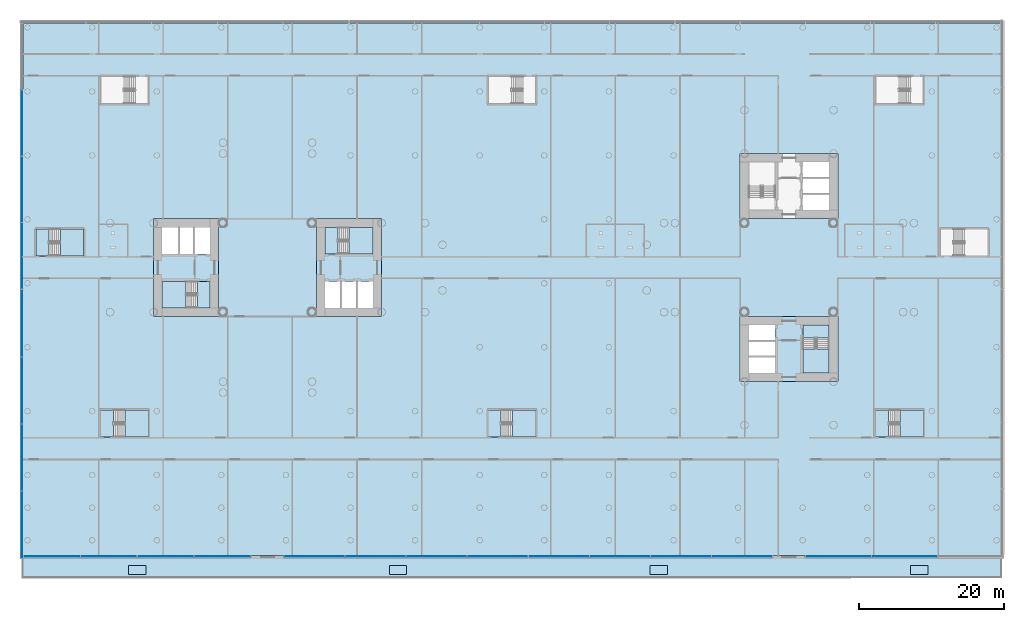
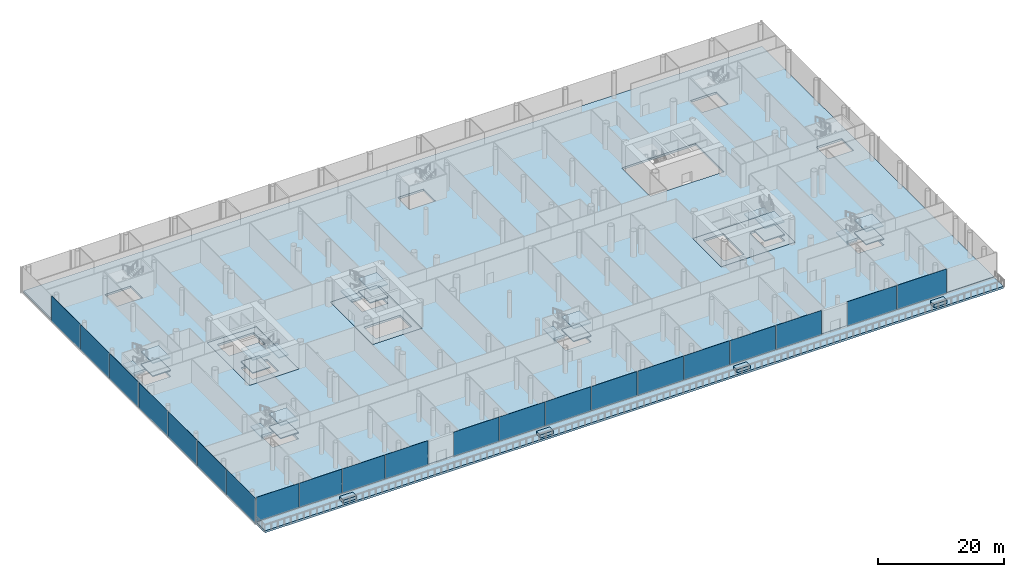
# One storey, part 15 of 59: 30 slabs, 21 plates, 13 elements without a shape of their own.
"""IFC4 building model written with IfcOpenShell, lengths in metres."""

from ifc_helpers import new_model, si_unit, direction, frame, origin, origin_2d, place, context, subcontext, project, spatial, polyline, rectangle, outline, extrude, material, layer, layer_set, type_object, element, aggregate, save


model = new_model("IFC4")

# Units and contexts
model_context = context("Model", 3, precision=1e-05, world=origin(), true_north=direction((0.0, 1.0)))
body_context = subcontext(model_context, "Body", "Model", "MODEL_VIEW")
ifc_project = project(units=[si_unit("LENGTHUNIT", "METRE"), si_unit("AREAUNIT", "SQUARE_METRE"), si_unit("VOLUMEUNIT", "CUBIC_METRE"), si_unit("PLANEANGLEUNIT", "RADIAN"), si_unit("MASSUNIT", "GRAM", prefix="KILO")], contexts=[model_context])

# Site, building, storey
site_placement = place(None, origin())
site = spatial("IfcSite", under=ifc_project, at=site_placement, CompositionType="ELEMENT")
building_placement = place(site_placement, origin())
building = spatial("IfcBuilding", under=site, at=building_placement, Name="Ipe Terrace Towers", CompositionType="ELEMENT")
storey_placement = place(building_placement, frame((0.0, 0.0, 6.0)))
storey = spatial("IfcBuildingStorey", under=building, at=storey_placement, Name="L01", CompositionType="ELEMENT", Elevation=6.0)

# Slabs
ifc_material_1 = material(Name="Concrete C30/37", Category="concrete")
ifc_layer_1 = layer(ifc_material_1, 0.39990234375)
ifc_layer_set_1 = layer_set([ifc_layer_1], Name="CORE FLOOR SLAB 400 C30-37")
slab_type_1 = type_object("IfcSlabType", Name="CORE FLOOR SLAB 400 C30-37", PredefinedType="FLOOR", material=ifc_layer_set_1)
slab_1_placement = place(storey_placement, frame((0.0, 0.0, -0.39990234375)))
element("IfcSlab", 1, at=slab_1_placement, inside=storey, type_object=slab_type_1, Name="Core floor T1-C1", PredefinedType="FLOOR", context=body_context, shape_type="SweptSolid", body=[
    extrude(outline(polyline([(-29.25, -6.75), (-29.25, 6.75), (-20.25, 6.75), (-20.25, -6.75), (-29.25, -6.75)]), holes=[polyline([(-28.050048828125, -5.550048828125), (-21.449951171875, -5.550048828125), (-21.449951171875, -1.89990234375), (-28.050048828125, -1.89990234375), (-28.050048828125, -5.550048828125)]), polyline([(-26.199951171875, 5.550048828125), (-26.199951171875, 1.89990234375), (-21.449951171875, 1.89990234375), (-21.449951171875, 5.550048828125), (-26.199951171875, 5.550048828125)])]), origin(), (0.0, 0.0, 1.0), 0.39990234375),
])
slab_2_placement = place(storey_placement, frame((0.0, 0.0, -0.39990234375)))
element("IfcSlab", 2, at=slab_2_placement, inside=storey, type_object=slab_type_1, Name="Core floor T1-C2", PredefinedType="FLOOR", context=body_context, shape_type="SweptSolid", body=[
    extrude(outline(polyline([(-51.75, -6.75), (-51.75, 6.75), (-42.75, 6.75), (-42.75, -6.75), (-51.75, -6.75)]), holes=[polyline([(-45.800048828125, -5.550048828125), (-45.800048828125, -1.89990234375), (-50.550048828125, -1.89990234375), (-50.550048828125, -5.550048828125), (-45.800048828125, -5.550048828125)]), polyline([(-50.550048828125, 1.89990234375), (-43.949951171875, 1.89990234375), (-43.949951171875, 5.550048828125), (-50.550048828125, 5.550048828125), (-50.550048828125, 1.89990234375)])]), origin(), (0.0, 0.0, 1.0), 0.39990234375),
])
slab_3_placement = place(storey_placement, frame((0.0, 0.0, -0.39990234375)))
element("IfcSlab", 3, at=slab_3_placement, inside=storey, type_object=slab_type_1, Name="Core floor T2-C2", PredefinedType="FLOOR", context=body_context, shape_type="SweptSolid", body=[
    extrude(outline(polyline([(29.25, -15.75), (29.25, -6.75), (42.75, -6.75), (42.75, -15.75), (29.25, -15.75)]), holes=[polyline([(34.10009765625, -14.550048828125), (34.10009765625, -7.949951171875), (30.449951171875, -7.949951171875), (30.449951171875, -14.550048828125), (34.10009765625, -14.550048828125)]), polyline([(41.550048828125, -9.800048828125), (37.89990234375, -9.800048828125), (37.89990234375, -14.550048828125), (41.550048828125, -14.550048828125), (41.550048828125, -9.800048828125)])]), origin(), (0.0, 0.0, 1.0), 0.39990234375),
])

# Stair, slabs
ifc_material_2 = material(Name="Concrete C30/37", Category="concrete")
stair_type = type_object("IfcStairType", Name="Protected exit stair", PredefinedType="HALF_TURN_STAIR", material=ifc_material_2)
stair_1_placement = place(storey_placement, origin())
stair_1 = element("IfcStair", 4, at=stair_1_placement, inside=storey, type_object=stair_type, Name="L01 Exit stair T1-C1", PredefinedType="HALF_TURN_STAIR")
ifc_material_3 = material(Name="Concrete C30/37", Category="concrete")
ifc_layer_2 = layer(ifc_material_3, 0.199951171875)
ifc_layer_set_2 = layer_set([ifc_layer_2], Name="Exit stair landing 200")
slab_type_2 = type_object("IfcSlabType", Name="Exit stair landing 200", PredefinedType="LANDING", material=ifc_layer_set_2)
slab_4_placement = place(storey_placement, frame((0.0, 0.0, 1.050048828125)))
slab_4 = element("IfcSlab", 5, at=slab_4_placement, type_object=slab_type_2, Name="T1-ST1 landing 1", PredefinedType="LANDING", context=body_context, shape_type="SweptSolid", body=[
    extrude(outline(polyline([(-24.739990234375, 1.89990234375), (-21.449951171875, 1.89990234375), (-21.449951171875, 5.550048828125), (-24.739990234375, 5.550048828125), (-24.739990234375, 1.89990234375)])), origin(), (0.0, 0.0, 1.0), 0.199951171875),
])
slab_5_placement = place(storey_placement, frame((0.0, 0.0, 2.300048828125)))
slab_5 = element("IfcSlab", 6, at=slab_5_placement, type_object=slab_type_2, Name="T1-ST1 landing 2", PredefinedType="LANDING", context=body_context, shape_type="SweptSolid", body=[
    extrude(outline(polyline([(-28.050048828125, 1.89990234375), (-26.300048828125, 1.89990234375), (-26.300048828125, 5.550048828125), (-28.050048828125, 5.550048828125), (-28.050048828125, 1.89990234375)])), origin(), (0.0, 0.0, 1.0), 0.199951171875),
])
slab_6_placement = place(storey_placement, frame((0.0, 0.0, 3.550048828125)))
slab_6 = element("IfcSlab", 7, at=slab_6_placement, type_object=slab_type_2, Name="T1-ST1 landing 3", PredefinedType="LANDING", context=body_context, shape_type="SweptSolid", body=[
    extrude(outline(polyline([(-24.739990234375, 1.89990234375), (-21.449951171875, 1.89990234375), (-21.449951171875, 5.550048828125), (-24.739990234375, 5.550048828125), (-24.739990234375, 1.89990234375)])), origin(), (0.0, 0.0, 1.0), 0.199951171875),
])
aggregate(stair_1, [slab_4, slab_5, slab_6])

stair_2_placement = place(storey_placement, origin())
stair_2 = element("IfcStair", 8, at=stair_2_placement, inside=storey, type_object=stair_type, Name="L01 Exit stair T1-C2", PredefinedType="HALF_TURN_STAIR")
slab_7_placement = place(storey_placement, frame((0.0, 0.0, 1.050048828125)))
slab_7 = element("IfcSlab", 9, at=slab_7_placement, type_object=slab_type_2, Name="T1-ST2 landing 1", PredefinedType="LANDING", context=body_context, shape_type="SweptSolid", body=[
    extrude(outline(polyline([(-47.260009765625, -1.89990234375), (-50.550048828125, -1.89990234375), (-50.550048828125, -5.550048828125), (-47.260009765625, -5.550048828125), (-47.260009765625, -1.89990234375)])), origin(), (0.0, 0.0, 1.0), 0.199951171875),
])
slab_8_placement = place(storey_placement, frame((0.0, 0.0, 2.300048828125)))
slab_8 = element("IfcSlab", 10, at=slab_8_placement, type_object=slab_type_2, Name="T1-ST2 landing 2", PredefinedType="LANDING", context=body_context, shape_type="SweptSolid", body=[
    extrude(outline(polyline([(-43.949951171875, -1.89990234375), (-45.699951171875, -1.89990234375), (-45.699951171875, -5.550048828125), (-43.949951171875, -5.550048828125), (-43.949951171875, -1.89990234375)])), origin(), (0.0, 0.0, 1.0), 0.199951171875),
])
slab_9_placement = place(storey_placement, frame((0.0, 0.0, 3.550048828125)))
slab_9 = element("IfcSlab", 11, at=slab_9_placement, type_object=slab_type_2, Name="T1-ST2 landing 3", PredefinedType="LANDING", context=body_context, shape_type="SweptSolid", body=[
    extrude(outline(polyline([(-47.260009765625, -1.89990234375), (-50.550048828125, -1.89990234375), (-50.550048828125, -5.550048828125), (-47.260009765625, -5.550048828125), (-47.260009765625, -1.89990234375)])), origin(), (0.0, 0.0, 1.0), 0.199951171875),
])
aggregate(stair_2, [slab_7, slab_8, slab_9])

stair_3_placement = place(storey_placement, origin())
stair_3 = element("IfcStair", 12, at=stair_3_placement, inside=storey, type_object=stair_type, Name="L01 Exit stair T2-C2", PredefinedType="HALF_TURN_STAIR")
slab_10_placement = place(storey_placement, frame((0.0, 0.0, 1.050048828125)))
slab_10 = element("IfcSlab", 13, at=slab_10_placement, type_object=slab_type_2, Name="T2-ST2 landing 1", PredefinedType="LANDING", context=body_context, shape_type="SweptSolid", body=[
    extrude(outline(polyline([(37.89990234375, -11.260009765625), (37.89990234375, -14.550048828125), (41.550048828125, -14.550048828125), (41.550048828125, -11.260009765625), (37.89990234375, -11.260009765625)])), origin(), (0.0, 0.0, 1.0), 0.199951171875),
])
slab_11_placement = place(storey_placement, frame((0.0, 0.0, 2.300048828125)))
slab_11 = element("IfcSlab", 14, at=slab_11_placement, type_object=slab_type_2, Name="T2-ST2 landing 2", PredefinedType="LANDING", context=body_context, shape_type="SweptSolid", body=[
    extrude(outline(polyline([(37.89990234375, -7.949951171875), (37.89990234375, -9.699951171875), (41.550048828125, -9.699951171875), (41.550048828125, -7.949951171875), (37.89990234375, -7.949951171875)])), origin(), (0.0, 0.0, 1.0), 0.199951171875),
])
slab_12_placement = place(storey_placement, frame((0.0, 0.0, 3.550048828125)))
slab_12 = element("IfcSlab", 15, at=slab_12_placement, type_object=slab_type_2, Name="T2-ST2 landing 3", PredefinedType="LANDING", context=body_context, shape_type="SweptSolid", body=[
    extrude(outline(polyline([(37.89990234375, -11.260009765625), (37.89990234375, -14.550048828125), (41.550048828125, -14.550048828125), (41.550048828125, -11.260009765625), (37.89990234375, -11.260009765625)])), origin(), (0.0, 0.0, 1.0), 0.199951171875),
])
aggregate(stair_3, [slab_10, slab_11, slab_12])

stair_4_placement = place(storey_placement, origin())
stair_4 = element("IfcStair", 16, at=stair_4_placement, inside=storey, type_object=stair_type, Name="L01 Podium exit stair PS4", PredefinedType="HALF_TURN_STAIR")
slab_13_placement = place(storey_placement, frame((0.0, 0.0, 1.050048828125)))
slab_13 = element("IfcSlab", 17, at=slab_13_placement, type_object=slab_type_2, Name="PS4 landing 1", PredefinedType="LANDING", context=body_context, shape_type="SweptSolid", body=[
    extrude(outline(polyline([(-55.7099609375, -23.39990234375), (-52.469970703125, -23.39990234375), (-52.469970703125, -19.64990234375), (-55.7099609375, -19.64990234375), (-55.7099609375, -23.39990234375)])), origin(), (0.0, 0.0, 1.0), 0.199951171875),
])
slab_14_placement = place(storey_placement, frame((0.0, 0.0, 2.300048828125)))
slab_14 = element("IfcSlab", 18, at=slab_14_placement, type_object=slab_type_2, Name="PS4 landing 2", PredefinedType="LANDING", context=body_context, shape_type="SweptSolid", body=[
    extrude(outline(polyline([(-59.070068359375, -23.39990234375), (-57.27001953125, -23.39990234375), (-57.27001953125, -19.64990234375), (-59.070068359375, -19.64990234375), (-59.070068359375, -23.39990234375)])), origin(), (0.0, 0.0, 1.0), 0.199951171875),
])
slab_15_placement = place(storey_placement, frame((0.0, 0.0, 3.550048828125)))
slab_15 = element("IfcSlab", 19, at=slab_15_placement, type_object=slab_type_2, Name="PS4 landing 3", PredefinedType="LANDING", context=body_context, shape_type="SweptSolid", body=[
    extrude(outline(polyline([(-55.7099609375, -23.39990234375), (-52.469970703125, -23.39990234375), (-52.469970703125, -19.64990234375), (-55.7099609375, -19.64990234375), (-55.7099609375, -23.39990234375)])), origin(), (0.0, 0.0, 1.0), 0.199951171875),
])
aggregate(stair_4, [slab_13, slab_14, slab_15])

stair_5_placement = place(storey_placement, origin())
stair_5 = element("IfcStair", 20, at=stair_5_placement, inside=storey, type_object=stair_type, Name="L01 Podium exit stair PS5", PredefinedType="HALF_TURN_STAIR")
slab_16_placement = place(storey_placement, frame((0.0, 0.0, 1.050048828125)))
slab_16 = element("IfcSlab", 21, at=slab_16_placement, type_object=slab_type_2, Name="PS5 landing 1", PredefinedType="LANDING", context=body_context, shape_type="SweptSolid", body=[
    extrude(outline(polyline([(-2.18994140625, -23.39990234375), (1.050048828125, -23.39990234375), (1.050048828125, -19.64990234375), (-2.18994140625, -19.64990234375), (-2.18994140625, -23.39990234375)])), origin(), (0.0, 0.0, 1.0), 0.199951171875),
])
slab_17_placement = place(storey_placement, frame((0.0, 0.0, 2.300048828125)))
slab_17 = element("IfcSlab", 22, at=slab_17_placement, type_object=slab_type_2, Name="PS5 landing 2", PredefinedType="LANDING", context=body_context, shape_type="SweptSolid", body=[
    extrude(outline(polyline([(-5.550048828125, -23.39990234375), (-3.75, -23.39990234375), (-3.75, -19.64990234375), (-5.550048828125, -19.64990234375), (-5.550048828125, -23.39990234375)])), origin(), (0.0, 0.0, 1.0), 0.199951171875),
])
slab_18_placement = place(storey_placement, frame((0.0, 0.0, 3.550048828125)))
slab_18 = element("IfcSlab", 23, at=slab_18_placement, type_object=slab_type_2, Name="PS5 landing 3", PredefinedType="LANDING", context=body_context, shape_type="SweptSolid", body=[
    extrude(outline(polyline([(-2.18994140625, -23.39990234375), (1.050048828125, -23.39990234375), (1.050048828125, -19.64990234375), (-2.18994140625, -19.64990234375), (-2.18994140625, -23.39990234375)])), origin(), (0.0, 0.0, 1.0), 0.199951171875),
])
aggregate(stair_5, [slab_16, slab_17, slab_18])

stair_6_placement = place(storey_placement, origin())
stair_6 = element("IfcStair", 24, at=stair_6_placement, inside=storey, type_object=stair_type, Name="L01 Podium exit stair PS6", PredefinedType="HALF_TURN_STAIR")
slab_19_placement = place(storey_placement, frame((0.0, 0.0, 1.050048828125)))
slab_19 = element("IfcSlab", 25, at=slab_19_placement, type_object=slab_type_2, Name="PS6 landing 1", PredefinedType="LANDING", context=body_context, shape_type="SweptSolid", body=[
    extrude(outline(polyline([(51.330078125, -23.39990234375), (54.570068359375, -23.39990234375), (54.570068359375, -19.64990234375), (51.330078125, -19.64990234375), (51.330078125, -23.39990234375)])), origin(), (0.0, 0.0, 1.0), 0.199951171875),
])
slab_20_placement = place(storey_placement, frame((0.0, 0.0, 2.300048828125)))
slab_20 = element("IfcSlab", 26, at=slab_20_placement, type_object=slab_type_2, Name="PS6 landing 2", PredefinedType="LANDING", context=body_context, shape_type="SweptSolid", body=[
    extrude(outline(polyline([(47.969970703125, -23.39990234375), (49.77001953125, -23.39990234375), (49.77001953125, -19.64990234375), (47.969970703125, -19.64990234375), (47.969970703125, -23.39990234375)])), origin(), (0.0, 0.0, 1.0), 0.199951171875),
])
slab_21_placement = place(storey_placement, frame((0.0, 0.0, 3.550048828125)))
slab_21 = element("IfcSlab", 27, at=slab_21_placement, type_object=slab_type_2, Name="PS6 landing 3", PredefinedType="LANDING", context=body_context, shape_type="SweptSolid", body=[
    extrude(outline(polyline([(51.330078125, -23.39990234375), (54.570068359375, -23.39990234375), (54.570068359375, -19.64990234375), (51.330078125, -19.64990234375), (51.330078125, -23.39990234375)])), origin(), (0.0, 0.0, 1.0), 0.199951171875),
])
aggregate(stair_6, [slab_19, slab_20, slab_21])

stair_7_placement = place(storey_placement, origin())
stair_7 = element("IfcStair", 28, at=stair_7_placement, inside=storey, type_object=stair_type, Name="L01 Podium exit stair PS7", PredefinedType="HALF_TURN_STAIR")
slab_22_placement = place(storey_placement, frame((0.0, 0.0, 1.050048828125)))
slab_22 = element("IfcSlab", 29, at=slab_22_placement, type_object=slab_type_2, Name="PS7 landing 1", PredefinedType="LANDING", context=body_context, shape_type="SweptSolid", body=[
    extrude(outline(polyline([(-64.6298828125, 1.60009765625), (-61.389892578125, 1.60009765625), (-61.389892578125, 5.35009765625), (-64.6298828125, 5.35009765625), (-64.6298828125, 1.60009765625)])), origin(), (0.0, 0.0, 1.0), 0.199951171875),
])
slab_23_placement = place(storey_placement, frame((0.0, 0.0, 2.300048828125)))
slab_23 = element("IfcSlab", 30, at=slab_23_placement, type_object=slab_type_2, Name="PS7 landing 2", PredefinedType="LANDING", context=body_context, shape_type="SweptSolid", body=[
    extrude(outline(polyline([(-67.989990234375, 1.60009765625), (-66.18994140625, 1.60009765625), (-66.18994140625, 5.35009765625), (-67.989990234375, 5.35009765625), (-67.989990234375, 1.60009765625)])), origin(), (0.0, 0.0, 1.0), 0.199951171875),
])
slab_24_placement = place(storey_placement, frame((0.0, 0.0, 3.550048828125)))
slab_24 = element("IfcSlab", 31, at=slab_24_placement, type_object=slab_type_2, Name="PS7 landing 3", PredefinedType="LANDING", context=body_context, shape_type="SweptSolid", body=[
    extrude(outline(polyline([(-64.6298828125, 1.60009765625), (-61.389892578125, 1.60009765625), (-61.389892578125, 5.35009765625), (-64.6298828125, 5.35009765625), (-64.6298828125, 1.60009765625)])), origin(), (0.0, 0.0, 1.0), 0.199951171875),
])
aggregate(stair_7, [slab_22, slab_23, slab_24])

# Slab
ifc_material_4 = material(Name="Concrete C40/50", Category="concrete")
ifc_layer_3 = layer(ifc_material_4, 0.39990234375)
ifc_layer_set_3 = layer_set([ifc_layer_3], Name="PODIUM FLOOR SLAB 400 C40-50")
slab_type_3 = type_object("IfcSlabType", Name="PODIUM FLOOR SLAB 400 C40-50", PredefinedType="FLOOR", material=ifc_layer_set_3)
slab_25_placement = place(storey_placement, frame((0.0, 0.0, -0.39990234375)))
element("IfcSlab", 32, at=slab_25_placement, inside=storey, type_object=slab_type_3, Name="Slab PD-FS-L01", PredefinedType="FLOOR", context=body_context, shape_type="SweptSolid", body=[
    extrude(outline(polyline([(-69.75, -39.75), (-69.75, 33.75), (65.25, 33.75), (65.25, -39.75), (-69.75, -39.75)]), holes=[polyline([(-20.25, -6.75), (-20.25, 6.75), (-29.25, 6.75), (-29.25, -6.75), (-20.25, -6.75)]), polyline([(-51.75, -6.75), (-42.75, -6.75), (-42.75, 6.75), (-51.75, 6.75), (-51.75, -6.75)]), polyline([(29.25, 15.75), (29.25, 6.75), (42.75, 6.75), (42.75, 15.75), (29.25, 15.75)]), polyline([(42.75, -6.75), (29.25, -6.75), (29.25, -15.75), (42.75, -15.75), (42.75, -6.75)]), polyline([(-52.469970703125, -19.64990234375), (-57.169921875, -19.64990234375), (-57.169921875, -23.39990234375), (-52.469970703125, -23.39990234375), (-52.469970703125, -19.64990234375)]), polyline([(1.050048828125, -19.64990234375), (-3.64990234375, -19.64990234375), (-3.64990234375, -23.39990234375), (1.050048828125, -23.39990234375), (1.050048828125, -19.64990234375)]), polyline([(54.570068359375, -19.64990234375), (49.8701171875, -19.64990234375), (49.8701171875, -23.39990234375), (54.570068359375, -23.39990234375), (54.570068359375, -19.64990234375)]), polyline([(-61.389892578125, 5.35009765625), (-66.090087890625, 5.35009765625), (-66.090087890625, 1.60009765625), (-61.389892578125, 1.60009765625), (-61.389892578125, 5.35009765625)]), polyline([(63.489990234375, 5.35009765625), (58.7900390625, 5.35009765625), (58.7900390625, 1.60009765625), (63.489990234375, 1.60009765625), (63.489990234375, 5.35009765625)]), polyline([(-59.070068359375, 22.64990234375), (-54.3701171875, 22.64990234375), (-54.3701171875, 26.39990234375), (-59.070068359375, 26.39990234375), (-59.070068359375, 22.64990234375)]), polyline([(-5.550048828125, 22.64990234375), (-0.85009765625, 22.64990234375), (-0.85009765625, 26.39990234375), (-5.550048828125, 26.39990234375), (-5.550048828125, 22.64990234375)]), polyline([(47.969970703125, 22.64990234375), (52.669921875, 22.64990234375), (52.669921875, 26.39990234375), (47.969970703125, 26.39990234375), (47.969970703125, 22.64990234375)])]), origin(), (0.0, 0.0, 1.0), 0.39990234375),
])

# Curtain wall, plates
ifc_material_5 = material(Name="Aluminium alloy 6063-T6", Category="aluminium")
ifc_layer_4 = layer(ifc_material_5, 0.43994140625)
ifc_layer_set_4 = layer_set([ifc_layer_4], Name="PODIUM GLAZING CURTAIN WALL")
curtain_wall_type = type_object("IfcCurtainWallType", Name="PODIUM GLAZING CURTAIN WALL", PredefinedType="NOTDEFINED", material=ifc_layer_set_4)
curtain_wall_1_placement = place(storey_placement, origin())
curtain_wall_1 = element("IfcCurtainWall", 33, at=curtain_wall_1_placement, inside=storey, type_object=curtain_wall_type, Name="POD-CW-L01-02a curtain wall", PredefinedType="NOTDEFINED")
ifc_material_6 = material(Name="Glass, clear laminated", Category="glass")
ifc_layer_5 = layer(ifc_material_6, 0.035888671875)
ifc_layer_set_5 = layer_set([ifc_layer_5], Name="PODIUM GLAZING GLASS PANEL 36")
plate_type = type_object("IfcPlateType", Name="PODIUM GLAZING GLASS PANEL 36", PredefinedType="CURTAIN_PANEL", material=ifc_layer_set_5)
plate_1_placement = place(storey_placement, frame((-69.89990234375, 19.958740234375, -0.300048828125), z_axis=(0.0, 0.0, 1.0), x_axis=(0.0, -1.0, 0.0)))
plate_1 = element("IfcPlate", 34, at=plate_1_placement, type_object=plate_type, Name="POD-CW-L01-02a panel 2", PredefinedType="CURTAIN_PANEL", context=body_context, shape_type="SweptSolid", body=[
    extrude(rectangle(XDim=9.08740234375, YDim=0.035888671875, at=origin_2d()), origin(), (0.0, 0.0, 1.0), 5.0),
])
plate_2_placement = place(storey_placement, frame((-69.89990234375, 10.791259765625, -0.300048828125), z_axis=(0.0, 0.0, 1.0), x_axis=(0.0, -1.0, 0.0)))
plate_2 = element("IfcPlate", 35, at=plate_2_placement, type_object=plate_type, Name="POD-CW-L01-02a panel 3", PredefinedType="CURTAIN_PANEL", context=body_context, shape_type="SweptSolid", body=[
    extrude(rectangle(XDim=9.08740234375, YDim=0.035888671875, at=origin_2d()), origin(), (0.0, 0.0, 1.0), 5.0),
])
plate_3_placement = place(storey_placement, frame((-69.89990234375, 1.623779296875, -0.300048828125), z_axis=(0.0, 0.0, 1.0), x_axis=(0.0, -1.0, 0.0)))
plate_3 = element("IfcPlate", 36, at=plate_3_placement, type_object=plate_type, Name="POD-CW-L01-02a panel 4", PredefinedType="CURTAIN_PANEL", context=body_context, shape_type="SweptSolid", body=[
    extrude(rectangle(XDim=9.08740234375, YDim=0.035888671875, at=origin_2d()), origin(), (0.0, 0.0, 1.0), 5.0),
])
aggregate(curtain_wall_1, [plate_1, plate_2, plate_3])

curtain_wall_2_placement = place(storey_placement, origin())
curtain_wall_2 = element("IfcCurtainWall", 37, at=curtain_wall_2_placement, inside=storey, type_object=curtain_wall_type, Name="POD-CW-L01-02b curtain wall", PredefinedType="NOTDEFINED")
plate_4_placement = place(storey_placement, frame((-69.89990234375, -7.6787109375, -0.300048828125), z_axis=(0.0, 0.0, 1.0), x_axis=(0.0, -1.0, 0.0)))
plate_4 = element("IfcPlate", 38, at=plate_4_placement, type_object=plate_type, Name="POD-CW-L01-02b panel 1", PredefinedType="CURTAIN_PANEL", context=body_context, shape_type="SweptSolid", body=[
    extrude(rectangle(XDim=9.197509765625, YDim=0.035888671875, at=origin_2d()), origin(), (0.0, 0.0, 1.0), 5.0),
])
plate_5_placement = place(storey_placement, frame((-69.89990234375, -16.956298828125, -0.300048828125), z_axis=(0.0, 0.0, 1.0), x_axis=(0.0, -1.0, 0.0)))
plate_5 = element("IfcPlate", 39, at=plate_5_placement, type_object=plate_type, Name="POD-CW-L01-02b panel 2", PredefinedType="CURTAIN_PANEL", context=body_context, shape_type="SweptSolid", body=[
    extrude(rectangle(XDim=9.197509765625, YDim=0.035888671875, at=origin_2d()), origin(), (0.0, 0.0, 1.0), 5.0),
])
plate_6_placement = place(storey_placement, frame((-69.89990234375, -26.233642578125, -0.300048828125), z_axis=(0.0, 0.0, 1.0), x_axis=(0.0, -1.0, 0.0)))
plate_6 = element("IfcPlate", 40, at=plate_6_placement, type_object=plate_type, Name="POD-CW-L01-02b panel 3", PredefinedType="CURTAIN_PANEL", context=body_context, shape_type="SweptSolid", body=[
    extrude(rectangle(XDim=9.197509765625, YDim=0.035888671875, at=origin_2d()), origin(), (0.0, 0.0, 1.0), 5.0),
])
plate_7_placement = place(storey_placement, frame((-69.89990234375, -35.51123046875, -0.300048828125), z_axis=(0.0, 0.0, 1.0), x_axis=(0.0, -1.0, 0.0)))
plate_7 = element("IfcPlate", 41, at=plate_7_placement, type_object=plate_type, Name="POD-CW-L01-02b panel 4", PredefinedType="CURTAIN_PANEL", context=body_context, shape_type="SweptSolid", body=[
    extrude(rectangle(XDim=9.197509765625, YDim=0.035888671875, at=origin_2d()), origin(), (0.0, 0.0, 1.0), 5.0),
])
aggregate(curtain_wall_2, [plate_4, plate_5, plate_6, plate_7])

curtain_wall_3_placement = place(storey_placement, origin())
curtain_wall_3 = element("IfcCurtainWall", 42, at=curtain_wall_3_placement, inside=storey, type_object=curtain_wall_type, Name="POD-CW-L01-03a curtain wall", PredefinedType="NOTDEFINED")
plate_8_placement = place(storey_placement, frame((-65.782470703125, -39.89990234375, -0.02001953125), z_axis=(0.0, 0.0, 1.0), x_axis=(1.0, 0.0, 0.0)))
plate_8 = element("IfcPlate", 43, at=plate_8_placement, type_object=plate_type, Name="POD-CW-L01-03a panel 1", PredefinedType="CURTAIN_PANEL", context=body_context, shape_type="SweptSolid", body=[
    extrude(rectangle(XDim=7.77490234375, YDim=0.035888671875, at=origin_2d()), origin(), (0.0, 0.0, 1.0), 4.719970703125),
])
plate_9_placement = place(storey_placement, frame((-57.927490234375, -39.89990234375, -0.02001953125), z_axis=(0.0, 0.0, 1.0), x_axis=(1.0, 0.0, 0.0)))
plate_9 = element("IfcPlate", 44, at=plate_9_placement, type_object=plate_type, Name="POD-CW-L01-03a panel 2", PredefinedType="CURTAIN_PANEL", context=body_context, shape_type="SweptSolid", body=[
    extrude(rectangle(XDim=7.77490234375, YDim=0.035888671875, at=origin_2d()), origin(), (0.0, 0.0, 1.0), 4.719970703125),
])
plate_10_placement = place(storey_placement, frame((-50.072509765625, -39.89990234375, -0.02001953125), z_axis=(0.0, 0.0, 1.0), x_axis=(1.0, 0.0, 0.0)))
plate_10 = element("IfcPlate", 45, at=plate_10_placement, type_object=plate_type, Name="POD-CW-L01-03a panel 3", PredefinedType="CURTAIN_PANEL", context=body_context, shape_type="SweptSolid", body=[
    extrude(rectangle(XDim=7.77490234375, YDim=0.035888671875, at=origin_2d()), origin(), (0.0, 0.0, 1.0), 4.719970703125),
])
plate_11_placement = place(storey_placement, frame((-42.217529296875, -39.89990234375, -0.02001953125), z_axis=(0.0, 0.0, 1.0), x_axis=(1.0, 0.0, 0.0)))
plate_11 = element("IfcPlate", 46, at=plate_11_placement, type_object=plate_type, Name="POD-CW-L01-03a panel 4", PredefinedType="CURTAIN_PANEL", context=body_context, shape_type="SweptSolid", body=[
    extrude(rectangle(XDim=7.77490234375, YDim=0.035888671875, at=origin_2d()), origin(), (0.0, 0.0, 1.0), 4.719970703125),
])
aggregate(curtain_wall_3, [plate_8, plate_9, plate_10, plate_11])

curtain_wall_4_placement = place(storey_placement, origin())
curtain_wall_4 = element("IfcCurtainWall", 47, at=curtain_wall_4_placement, inside=storey, type_object=curtain_wall_type, Name="POD-CW-L01-03c curtain wall", PredefinedType="NOTDEFINED")
plate_12_placement = place(storey_placement, frame((-29.501220703125, -39.89990234375, -0.02001953125), z_axis=(0.0, 0.0, 1.0), x_axis=(1.0, 0.0, 0.0)))
plate_12 = element("IfcPlate", 48, at=plate_12_placement, type_object=plate_type, Name="POD-CW-L01-03c panel 1", PredefinedType="CURTAIN_PANEL", context=body_context, shape_type="SweptSolid", body=[
    extrude(rectangle(XDim=8.33740234375, YDim=0.035888671875, at=origin_2d()), origin(), (0.0, 0.0, 1.0), 4.719970703125),
])
plate_13_placement = place(storey_placement, frame((-21.083740234375, -39.89990234375, -0.02001953125), z_axis=(0.0, 0.0, 1.0), x_axis=(1.0, 0.0, 0.0)))
plate_13 = element("IfcPlate", 49, at=plate_13_placement, type_object=plate_type, Name="POD-CW-L01-03c panel 2", PredefinedType="CURTAIN_PANEL", context=body_context, shape_type="SweptSolid", body=[
    extrude(rectangle(XDim=8.33740234375, YDim=0.035888671875, at=origin_2d()), origin(), (0.0, 0.0, 1.0), 4.719970703125),
])
plate_14_placement = place(storey_placement, frame((-12.666259765625, -39.89990234375, -0.02001953125), z_axis=(0.0, 0.0, 1.0), x_axis=(1.0, 0.0, 0.0)))
plate_14 = element("IfcPlate", 50, at=plate_14_placement, type_object=plate_type, Name="POD-CW-L01-03c panel 3", PredefinedType="CURTAIN_PANEL", context=body_context, shape_type="SweptSolid", body=[
    extrude(rectangle(XDim=8.33740234375, YDim=0.035888671875, at=origin_2d()), origin(), (0.0, 0.0, 1.0), 4.719970703125),
])
plate_15_placement = place(storey_placement, frame((-4.248779296875, -39.89990234375, -0.02001953125), z_axis=(0.0, 0.0, 1.0), x_axis=(1.0, 0.0, 0.0)))
plate_15 = element("IfcPlate", 51, at=plate_15_placement, type_object=plate_type, Name="POD-CW-L01-03c panel 4", PredefinedType="CURTAIN_PANEL", context=body_context, shape_type="SweptSolid", body=[
    extrude(rectangle(XDim=8.33740234375, YDim=0.035888671875, at=origin_2d()), origin(), (0.0, 0.0, 1.0), 4.719970703125),
])
aggregate(curtain_wall_4, [plate_12, plate_13, plate_14, plate_15])

curtain_wall_5_placement = place(storey_placement, origin())
curtain_wall_5 = element("IfcCurtainWall", 52, at=curtain_wall_5_placement, inside=storey, type_object=curtain_wall_type, Name="POD-CW-L01-03d curtain wall", PredefinedType="NOTDEFINED")
plate_16_placement = place(storey_placement, frame((4.248779296875, -39.89990234375, -0.02001953125), z_axis=(0.0, 0.0, 1.0), x_axis=(1.0, 0.0, 0.0)))
plate_16 = element("IfcPlate", 53, at=plate_16_placement, type_object=plate_type, Name="POD-CW-L01-03d panel 1", PredefinedType="CURTAIN_PANEL", context=body_context, shape_type="SweptSolid", body=[
    extrude(rectangle(XDim=8.33740234375, YDim=0.035888671875, at=origin_2d()), origin(), (0.0, 0.0, 1.0), 4.719970703125),
])
plate_17_placement = place(storey_placement, frame((12.666259765625, -39.89990234375, -0.02001953125), z_axis=(0.0, 0.0, 1.0), x_axis=(1.0, 0.0, 0.0)))
plate_17 = element("IfcPlate", 54, at=plate_17_placement, type_object=plate_type, Name="POD-CW-L01-03d panel 2", PredefinedType="CURTAIN_PANEL", context=body_context, shape_type="SweptSolid", body=[
    extrude(rectangle(XDim=8.33740234375, YDim=0.035888671875, at=origin_2d()), origin(), (0.0, 0.0, 1.0), 4.719970703125),
])
plate_18_placement = place(storey_placement, frame((21.083740234375, -39.89990234375, -0.02001953125), z_axis=(0.0, 0.0, 1.0), x_axis=(1.0, 0.0, 0.0)))
plate_18 = element("IfcPlate", 55, at=plate_18_placement, type_object=plate_type, Name="POD-CW-L01-03d panel 3", PredefinedType="CURTAIN_PANEL", context=body_context, shape_type="SweptSolid", body=[
    extrude(rectangle(XDim=8.33740234375, YDim=0.035888671875, at=origin_2d()), origin(), (0.0, 0.0, 1.0), 4.719970703125),
])
plate_19_placement = place(storey_placement, frame((29.501220703125, -39.89990234375, -0.02001953125), z_axis=(0.0, 0.0, 1.0), x_axis=(1.0, 0.0, 0.0)))
plate_19 = element("IfcPlate", 56, at=plate_19_placement, type_object=plate_type, Name="POD-CW-L01-03d panel 4", PredefinedType="CURTAIN_PANEL", context=body_context, shape_type="SweptSolid", body=[
    extrude(rectangle(XDim=8.33740234375, YDim=0.035888671875, at=origin_2d()), origin(), (0.0, 0.0, 1.0), 4.719970703125),
])
aggregate(curtain_wall_5, [plate_16, plate_17, plate_18, plate_19])

curtain_wall_6_placement = place(storey_placement, origin())
curtain_wall_6 = element("IfcCurtainWall", 57, at=curtain_wall_6_placement, inside=storey, type_object=curtain_wall_type, Name="POD-CW-L01-03f curtain wall", PredefinedType="NOTDEFINED")
plate_20_placement = place(storey_placement, frame((42.85009765625, -39.89990234375, -0.02001953125), z_axis=(0.0, 0.0, 1.0), x_axis=(1.0, 0.0, 0.0)))
plate_20 = element("IfcPlate", 58, at=plate_20_placement, type_object=plate_type, Name="POD-CW-L01-03f panel 1", PredefinedType="CURTAIN_PANEL", context=body_context, shape_type="SweptSolid", body=[
    extrude(rectangle(XDim=9.0400390625, YDim=0.035888671875, at=origin_2d()), origin(), (0.0, 0.0, 1.0), 4.719970703125),
])
plate_21_placement = place(storey_placement, frame((51.969970703125, -39.89990234375, -0.02001953125), z_axis=(0.0, 0.0, 1.0), x_axis=(1.0, 0.0, 0.0)))
plate_21 = element("IfcPlate", 59, at=plate_21_placement, type_object=plate_type, Name="POD-CW-L01-03f panel 2", PredefinedType="CURTAIN_PANEL", context=body_context, shape_type="SweptSolid", body=[
    extrude(rectangle(XDim=9.0400390625, YDim=0.035888671875, at=origin_2d()), origin(), (0.0, 0.0, 1.0), 4.719970703125),
])
aggregate(curtain_wall_6, [plate_20, plate_21])

# Slabs
ifc_material_7 = material(Name="Concrete C30/37", Category="concrete")
ifc_layer_6 = layer(ifc_material_7, 0.60009765625)
ifc_layer_set_6 = layer_set([ifc_layer_6], Name="SHRUB TROUGH 2400 x 1200 x 600")
slab_type_4 = type_object("IfcSlabType", Name="SHRUB TROUGH 2400 x 1200 x 600", PredefinedType="USERDEFINED", material=ifc_layer_set_6)
slab_26_placement = place(storey_placement, frame((0.0, 0.0, -0.02001953125)))
element("IfcSlab", 60, at=slab_26_placement, inside=storey, type_object=slab_type_4, Name="planter", ObjectType="PLANTER", PredefinedType="USERDEFINED", context=body_context, shape_type="SweptSolid", body=[
    extrude(outline(polyline([(-55.199951171875, -42.360107421875), (-52.800048828125, -42.360107421875), (-52.800048828125, -41.159912109375), (-55.199951171875, -41.159912109375), (-55.199951171875, -42.360107421875)])), origin(), (0.0, 0.0, 1.0), 0.60009765625),
])
slab_27_placement = place(storey_placement, frame((0.0, 0.0, -0.02001953125)))
element("IfcSlab", 61, at=slab_27_placement, inside=storey, type_object=slab_type_4, Name="planter", ObjectType="PLANTER", PredefinedType="USERDEFINED", context=body_context, shape_type="SweptSolid", body=[
    extrude(outline(polyline([(-19.199951171875, -42.360107421875), (-16.800048828125, -42.360107421875), (-16.800048828125, -41.159912109375), (-19.199951171875, -41.159912109375), (-19.199951171875, -42.360107421875)])), origin(), (0.0, 0.0, 1.0), 0.60009765625),
])
slab_28_placement = place(storey_placement, frame((0.0, 0.0, -0.02001953125)))
element("IfcSlab", 62, at=slab_28_placement, inside=storey, type_object=slab_type_4, Name="planter", ObjectType="PLANTER", PredefinedType="USERDEFINED", context=body_context, shape_type="SweptSolid", body=[
    extrude(outline(polyline([(16.800048828125, -42.360107421875), (19.199951171875, -42.360107421875), (19.199951171875, -41.159912109375), (16.800048828125, -41.159912109375), (16.800048828125, -42.360107421875)])), origin(), (0.0, 0.0, 1.0), 0.60009765625),
])
slab_29_placement = place(storey_placement, frame((0.0, 0.0, -0.02001953125)))
element("IfcSlab", 63, at=slab_29_placement, inside=storey, type_object=slab_type_4, Name="planter", ObjectType="PLANTER", PredefinedType="USERDEFINED", context=body_context, shape_type="SweptSolid", body=[
    extrude(outline(polyline([(52.800048828125, -42.360107421875), (55.199951171875, -42.360107421875), (55.199951171875, -41.159912109375), (52.800048828125, -41.159912109375), (52.800048828125, -42.360107421875)])), origin(), (0.0, 0.0, 1.0), 0.60009765625),
])
ifc_material_8 = material(Name="Concrete C40/50", Category="concrete")
ifc_layer_7 = layer(ifc_material_8, 0.39990234375)
ifc_layer_set_7 = layer_set([ifc_layer_7], Name="TERRACE DECK SLAB 400 C40-50")
slab_type_5 = type_object("IfcSlabType", Name="TERRACE DECK SLAB 400 C40-50", PredefinedType="FLOOR", material=ifc_layer_set_7)
slab_30_placement = place(storey_placement, frame((0.0, 0.0, -0.419921875)))
element("IfcSlab", 64, at=slab_30_placement, inside=storey, type_object=slab_type_5, Name="Slab PD-TD-L01-1", PredefinedType="FLOOR", context=body_context, shape_type="SweptSolid", body=[
    extrude(outline(polyline([(65.2451171875, -42.7451171875), (-69.7451171875, -42.7451171875), (-69.7451171875, -39.7548828125), (65.2451171875, -39.7548828125), (65.2451171875, -42.7451171875)])), origin(), (0.0, 0.0, 1.0), 0.39990234375),
])

save(model, "model.ifc")
